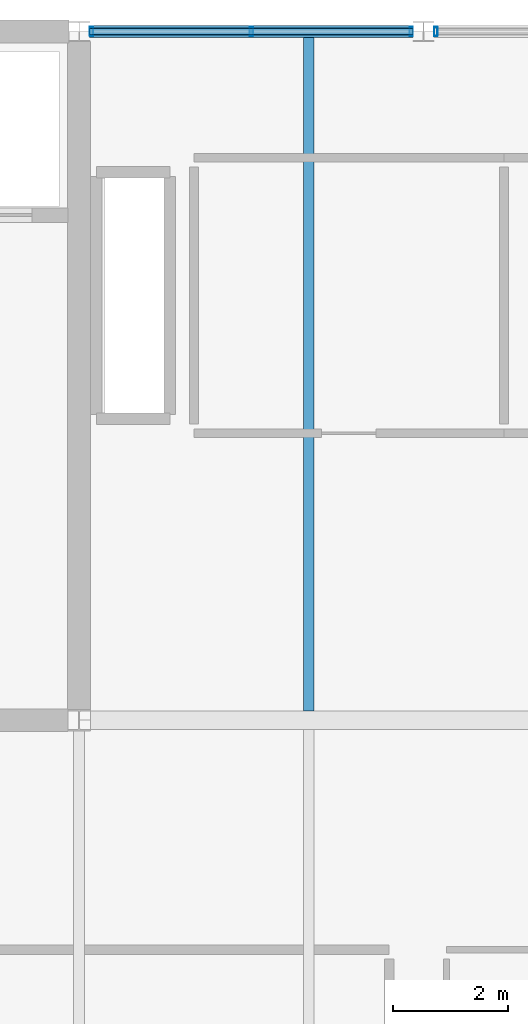
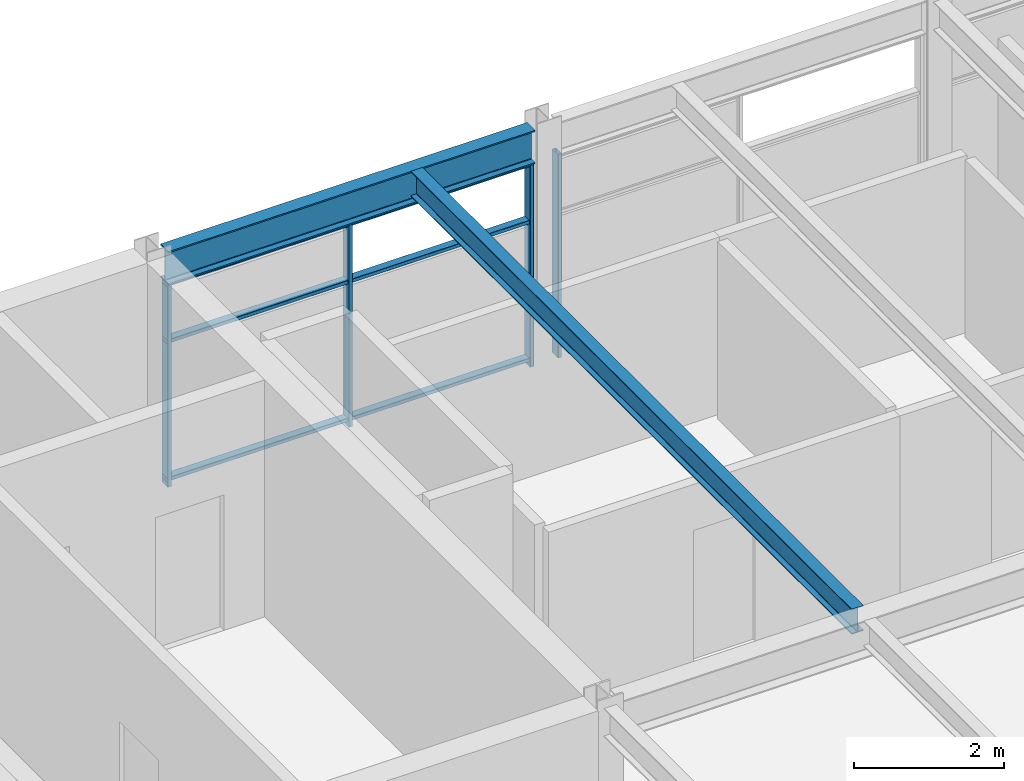
# One storey, part 12 of 40: 7 members, 2 beams, 2 elements without a shape of their own.
"""IFC4 building model written with IfcOpenShell, lengths in metres."""

import ifcopenshell
import ifcopenshell.guid

model = None  # the IFC model being written
_history = None  # IfcOwnerHistory: only IFC2X3 demands one
_inside = {}  # id of a spatial element -> (the spatial element, [elements in it])
_under = {}  # id of a project, library or spatial element -> (it, [spatial elements below it])
_declared = {}  # id of a project -> (the project, [libraries it declares])
_typed = {}  # id of a type object -> (the type object, [elements of that type])
_made_of = {}  # id of a material, layer set ... -> (it, [elements and type objects made of it])


def new_model(schema):
    """Start an empty IFC model of exactly this schema.

    Asked for "IFC4X3", IfcOpenShell would pick the latest addendum, in which some entities
    have other attributes; the version numbers below select the first issue.
    IFC2X3 requires an IfcOwnerHistory on every rooted entity: one is made here for all.
    """
    global model, _history
    if schema == "IFC4X3":
        model = ifcopenshell.file(schema_version=(4, 3, 0, 0))
    else:
        model = ifcopenshell.file(schema=schema)
    _inside.clear()
    _under.clear()
    _declared.clear()
    _typed.clear()
    _made_of.clear()
    _history = None
    if model.schema == "IFC2X3":
        org = make("IfcOrganization", Name="unknown")
        user = make(
            "IfcPersonAndOrganization",
            ThePerson=make("IfcPerson", FamilyName="unknown"),
            TheOrganization=org,
        )
        app = make(
            "IfcApplication",
            ApplicationDeveloper=org,
            Version="unknown",
            ApplicationFullName="unknown",
            ApplicationIdentifier="unknown",
        )
        _history = make(
            "IfcOwnerHistory",
            OwningUser=user,
            OwningApplication=app,
            ChangeAction="ADDED",
            CreationDate=0,
        )
    return model


def make(cls, **values):
    """One entity of the class cls with the attributes given. An attribute that is None is left unset."""
    return model.create_entity(
        cls, **{name: value for name, value in values.items() if value is not None}
    )


def rooted(cls, **values):
    """An entity with a GlobalId (a new one), such as an element, a storey or a relation."""
    return make(cls, GlobalId=ifcopenshell.guid.new(), OwnerHistory=_history, **values)


def si_unit(unit_type, name, prefix=None):
    """IfcSIUnit, for example si_unit("LENGTHUNIT", "METRE", prefix="MILLI")."""
    return make("IfcSIUnit", UnitType=unit_type, Prefix=prefix, Name=name)


def assignment(units):
    """IfcUnitAssignment: the units of a project."""
    return None if units is None else make("IfcUnitAssignment", Units=units)


def point(xyz):
    """IfcCartesianPoint."""
    return None if xyz is None else make("IfcCartesianPoint", Coordinates=xyz)


def direction(xyz):
    """IfcDirection."""
    return None if xyz is None else make("IfcDirection", DirectionRatios=xyz)


def frame(location, z_axis=None, x_axis=None):
    """IfcAxis2Placement3D, a coordinate frame: its origin and axes. An axis left out is left unset."""
    return make(
        "IfcAxis2Placement3D",
        Location=point(location),
        Axis=direction(z_axis),
        RefDirection=direction(x_axis),
    )


def frame_2d(location, x_axis=None):
    """IfcAxis2Placement2D, a coordinate frame in the plane: its origin and x axis."""
    return make(
        "IfcAxis2Placement2D", Location=point(location), RefDirection=direction(x_axis)
    )


def origin():
    """The frame at (0, 0, 0) with its axes left unset."""
    return frame((0.0, 0.0, 0.0))


def origin_2d():
    """The frame at (0, 0) in the plane with its x axis left unset."""
    return frame_2d((0.0, 0.0))


def place(relative_to, where):
    """IfcLocalPlacement: puts the frame where relative to a parent placement (None: the world)."""
    return make(
        "IfcLocalPlacement", PlacementRelTo=relative_to, RelativePlacement=where
    )


def context(
    kind, dimensions, precision=None, world=None, true_north=None, identifier=None
):
    """IfcGeometricRepresentationContext, for example the 3D "Model" context."""
    return make(
        "IfcGeometricRepresentationContext",
        ContextIdentifier=identifier,
        ContextType=kind,
        CoordinateSpaceDimension=dimensions,
        Precision=precision,
        WorldCoordinateSystem=world,
        TrueNorth=true_north,
    )


def subcontext(parent, identifier, kind, view, scale=None):
    """IfcGeometricRepresentationSubContext, for example "Body" below "Model"."""
    return make(
        "IfcGeometricRepresentationSubContext",
        ContextIdentifier=identifier,
        ContextType=kind,
        ParentContext=parent,
        TargetScale=scale,
        TargetView=view,
    )


def project(units=None, contexts=None):
    """IfcProject with its units and contexts."""
    return rooted(
        "IfcProject",
        Name="project",
        RepresentationContexts=contexts,
        UnitsInContext=assignment(units),
    )


def spatial(cls, under=None, at=None, **own):
    """A site, building, storey or space (cls), placed at a placement, below another one or the project."""
    s = rooted(cls, ObjectPlacement=at, **own)
    if under is not None:
        _under.setdefault(under.id(), (under, []))[1].append(s)
    return s


def profile(cls, at=None, kind="AREA", **sizes):
    """A parametric profile (cls). Its sizes go by their IFC names, for example OverallWidth=200.0."""
    return make(cls, ProfileType=kind, Position=at, **sizes)


def hollow_rectangle(**sizes):
    """IfcRectangleHollowProfileDef."""
    return profile("IfcRectangleHollowProfileDef", **sizes)


def i_section(**sizes):
    """IfcIShapeProfileDef."""
    return profile("IfcIShapeProfileDef", **sizes)


def extrude(swept, where, along, depth):
    """IfcExtrudedAreaSolid: the profile swept, set in the frame where, extruded along a direction by depth."""
    return make(
        "IfcExtrudedAreaSolid",
        SweptArea=swept,
        Position=where,
        ExtrudedDirection=direction(along),
        Depth=depth,
    )


def shape(context_of_items, identifier, shape_type, items):
    """IfcShapeRepresentation: the items that make up one representation, for example the "Body"."""
    return make(
        "IfcShapeRepresentation",
        ContextOfItems=context_of_items,
        RepresentationIdentifier=identifier,
        RepresentationType=shape_type,
        Items=items,
    )


def material(Name=None, Category=None):
    """IfcMaterial."""
    return make("IfcMaterial", Name=Name, Category=Category)


def material_profile(
    of_material, cross_section, Name=None, Category=None, Priority=None
):
    """IfcMaterialProfile: a cross section and its material."""
    return make(
        "IfcMaterialProfile",
        Name=Name,
        Material=of_material,
        Profile=cross_section,
        Priority=Priority,
        Category=Category,
    )


def profile_set(profiles, Name=None, composite=None):
    """IfcMaterialProfileSet."""
    return make(
        "IfcMaterialProfileSet",
        Name=Name,
        MaterialProfiles=profiles,
        CompositeProfile=composite,
    )


def made_of(thing, what):
    """Note that an element or type object is made of a material, layer set ...; save() writes the relation."""
    if what is not None:
        _made_of.setdefault(what.id(), (what, []))[1].append(thing)
    return thing


def type_object(cls, material=None, **own):
    """A type object (cls), such as IfcWallType, which elements share."""
    return made_of(rooted(cls, **own), material)


def element(
    cls,
    number,
    at=None,
    inside=None,
    cuts=None,
    type_object=None,
    material=None,
    context=None,
    identifier="Body",
    shape_type=None,
    held_by="IfcProductDefinitionShape",
    body=None,
    shapes=None,
    **own,
):
    """One element of the class cls, such as IfcWall. Its Tag is "e" and its number.

    at: its placement. inside: the storey or other place that contains it. cuts: it is an
    opening in that element (IfcRelVoidsElement). A single representation is given by context,
    identifier, shape_type and body (its items); several are given by shapes. held_by: the class
    of the entity that holds the representations. save() writes the other relations.
    """
    e = rooted(cls, Tag="e%d" % number, ObjectPlacement=at, **own)
    if body is not None:
        shapes = [shape(context, identifier, shape_type, body)]
    if shapes is not None:
        e.Representation = make(held_by, Representations=shapes)
    if inside is not None:
        _inside.setdefault(inside.id(), (inside, []))[1].append(e)
    if cuts is not None:
        rooted(
            "IfcRelVoidsElement", RelatingBuildingElement=cuts, RelatedOpeningElement=e
        )
    if type_object is not None:
        _typed.setdefault(type_object.id(), (type_object, []))[1].append(e)
    return made_of(e, material)


def aggregate(whole, parts):
    """IfcRelAggregates: a whole, such as a stair, and the parts it consists of."""
    return rooted("IfcRelAggregates", RelatingObject=whole, RelatedObjects=parts)


def save(model, path):
    """Write the relations noted so far, then the file.

    IfcRelAggregates (storeys below a building ...), IfcRelContainedInSpatialStructure (elements
    in a storey), IfcRelDefinesByType, IfcRelAssociatesMaterial and IfcRelDeclares: one each for
    every whole, place, type object, material and project.
    """
    for whole, parts in _under.values():
        aggregate(whole, parts)
    for where, things in _inside.values():
        rooted(
            "IfcRelContainedInSpatialStructure",
            RelatedElements=things,
            RelatingStructure=where,
        )
    for kind, things in _typed.values():
        rooted("IfcRelDefinesByType", RelatedObjects=things, RelatingType=kind)
    for what, things in _made_of.values():
        rooted("IfcRelAssociatesMaterial", RelatedObjects=things, RelatingMaterial=what)
    for by, libraries in _declared.values():
        rooted("IfcRelDeclares", RelatingContext=by, RelatedDefinitions=libraries)
    model.write(path)


model = new_model("IFC4")

# Units and contexts
model_context = context("Model", 3, precision=1e-05, world=origin(), true_north=direction((0.0, 1.0)))
body_context = subcontext(model_context, "Body", "Model", "MODEL_VIEW")
ifc_project = project(units=[si_unit("LENGTHUNIT", "METRE"), si_unit("AREAUNIT", "SQUARE_METRE"), si_unit("VOLUMEUNIT", "CUBIC_METRE"), si_unit("PLANEANGLEUNIT", "RADIAN"), si_unit("MASSUNIT", "GRAM", prefix="KILO")], contexts=[model_context])

# Site, building, storey
site_placement = place(None, origin())
site = spatial("IfcSite", under=ifc_project, at=site_placement, CompositionType="ELEMENT")
building_placement = place(site_placement, origin())
building = spatial("IfcBuilding", under=site, at=building_placement, Name="Girod Span Mobility Hub", CompositionType="ELEMENT")
storey_placement = place(building_placement, frame((0.0, 0.0, 57.60009765625)))
storey = spatial("IfcBuildingStorey", under=building, at=storey_placement, Name="L14", CompositionType="ELEMENT", Elevation=57.60009765625)

# Beams
ifc_material_1 = material(Name="Steel A992 Grade 50", Category="steel")
ifc_material_profile_1 = material_profile(ifc_material_1, i_section(OverallWidth=0.178955078125, OverallDepth=0.409912109375, WebThickness=0.0087890625, FlangeThickness=0.014404296875, FilletRadius=0.012939453125, at=origin_2d()), Name="W16X45")
ifc_profile_set_1 = profile_set([ifc_material_profile_1], Name="Steel A992 Grade 50")
beam_type_1 = type_object("IfcBeamType", Name="BM-STL-W16X45", PredefinedType="BEAM", material=ifc_profile_set_1)
beam_1_placement = place(storey_placement, frame((64.0, 57.158935546875, 3.64501953125), z_axis=(0.0, 1.0, 0.0), x_axis=(-1.0, 0.0, 0.0)))
element("IfcBeam", 1, at=beam_1_placement, inside=storey, type_object=beam_type_1, Name="Composite Floorbeam 6/E-1 L14", PredefinedType="BEAM", context=body_context, shape_type="SweptSolid", body=[
    extrude(i_section(OverallWidth=0.178955078125, OverallDepth=0.409912109375, WebThickness=0.0087890625, FlangeThickness=0.014404296875, FilletRadius=0.012939453125, at=origin_2d()), origin(), (0.0, 0.0, 1.0), 11.738037109375),
])
ifc_material_2 = material(Name="Steel A992 Grade 50", Category="steel")
ifc_material_profile_2 = material_profile(ifc_material_2, i_section(OverallWidth=0.2119140625, OverallDepth=0.5439453125, WebThickness=0.01318359375, FlangeThickness=0.021240234375, FilletRadius=0.014892578125, at=origin_2d()), Name="W21X83")
ifc_profile_set_2 = profile_set([ifc_material_profile_2], Name="Steel A992 Grade 50")
beam_type_2 = type_object("IfcBeamType", Name="BM-STL-W21X83", PredefinedType="SPANDREL", material=ifc_profile_set_2)
beam_2_placement = place(storey_placement, frame((60.181396484375, 69.0, 3.577880859375), z_axis=(1.0, 0.0, 0.0), x_axis=(0.0, 1.0, 0.0)))
element("IfcBeam", 2, at=beam_2_placement, inside=storey, type_object=beam_type_2, Name="Spandrel Beam 6-7/F-W L14", PredefinedType="SPANDREL", context=body_context, shape_type="SweptSolid", body=[
    extrude(i_section(OverallWidth=0.2119140625, OverallDepth=0.5439453125, WebThickness=0.01318359375, FlangeThickness=0.021240234375, FilletRadius=0.014892578125, at=origin_2d()), origin(), (0.0, 0.0, 1.0), 5.63720703125),
])

# Curtain wall, members
ifc_material_3 = material(Name="Thermally Broken Anodised Aluminium", Category="aluminium")
curtain_wall_type = type_object("IfcCurtainWallType", Name="CW-564X331", PredefinedType="USERDEFINED", material=ifc_material_3)
curtain_wall_1_placement = place(storey_placement, origin())
curtain_wall_1 = element("IfcCurtainWall", 3, at=curtain_wall_1_placement, inside=storey, type_object=curtain_wall_type, Name="Unitised Curtain Wall CW-L14-N06W L14", ObjectType="UNITISED CURTAIN WALL", PredefinedType="USERDEFINED")
ifc_material_4 = material(Name="Thermally Broken Anodised Aluminium", Category="aluminium")
ifc_material_profile_3 = material_profile(ifc_material_4, hollow_rectangle(XDim=0.159912109375, YDim=0.06005859375, WallThickness=0.00341796875, InnerFilletRadius=0.00341796875, OuterFilletRadius=0.007080078125, at=origin_2d()), Name="CW-ML-60X160")
ifc_profile_set_3 = profile_set([ifc_material_profile_3], Name="Thermally Broken Anodised Aluminium")
member_type_1 = type_object("IfcMemberType", Name="CWM-ML-3", PredefinedType="MULLION", material=ifc_profile_set_3)
member_1_placement = place(storey_placement, frame((60.214599609375, 69.0, 0.0), z_axis=(0.0, 0.0, 1.0), x_axis=(0.0, 1.0, 0.0)))
member_1 = element("IfcMember", 4, at=member_1_placement, type_object=member_type_1, Name="Curtain Wall Mullion CW-L14-N06W-M0", PredefinedType="MULLION", context=body_context, shape_type="SweptSolid", body=[
    extrude(hollow_rectangle(XDim=0.159912109375, YDim=0.06005859375, WallThickness=0.00341796875, InnerFilletRadius=0.00341796875, OuterFilletRadius=0.007080078125, at=origin_2d()), origin(), (0.0, 0.0, 1.0), 3.305908203125),
])
member_2_placement = place(storey_placement, frame((63.0, 69.0, 0.0), z_axis=(0.0, 0.0, 1.0), x_axis=(0.0, 1.0, 0.0)))
member_2 = element("IfcMember", 5, at=member_2_placement, type_object=member_type_1, Name="Curtain Wall Mullion CW-L14-N06W-M1", PredefinedType="MULLION", context=body_context, shape_type="SweptSolid", body=[
    extrude(hollow_rectangle(XDim=0.159912109375, YDim=0.06005859375, WallThickness=0.00341796875, InnerFilletRadius=0.00341796875, OuterFilletRadius=0.007080078125, at=origin_2d()), origin(), (0.0, 0.0, 1.0), 3.305908203125),
])
member_3_placement = place(storey_placement, frame((65.785400390625, 69.0, 0.0), z_axis=(0.0, 0.0, 1.0), x_axis=(0.0, 1.0, 0.0)))
member_3 = element("IfcMember", 6, at=member_3_placement, type_object=member_type_1, Name="Curtain Wall Mullion CW-L14-N06W-M2", PredefinedType="MULLION", context=body_context, shape_type="SweptSolid", body=[
    extrude(hollow_rectangle(XDim=0.159912109375, YDim=0.06005859375, WallThickness=0.00341796875, InnerFilletRadius=0.00341796875, OuterFilletRadius=0.007080078125, at=origin_2d()), origin(), (0.0, 0.0, 1.0), 3.305908203125),
])

# Curtain wall, member
curtain_wall_2_placement = place(storey_placement, origin())
curtain_wall_2 = element("IfcCurtainWall", 7, at=curtain_wall_2_placement, inside=storey, type_object=curtain_wall_type, Name="Unitised Curtain Wall CW-L14-N06E L14", ObjectType="UNITISED CURTAIN WALL", PredefinedType="USERDEFINED")
member_4_placement = place(storey_placement, frame((66.214599609375, 69.0, 0.0), z_axis=(0.0, 0.0, 1.0), x_axis=(0.0, 1.0, 0.0)))
member_4 = element("IfcMember", 8, at=member_4_placement, type_object=member_type_1, Name="Curtain Wall Mullion CW-L14-N06E-M0", PredefinedType="MULLION", context=body_context, shape_type="SweptSolid", body=[
    extrude(hollow_rectangle(XDim=0.159912109375, YDim=0.06005859375, WallThickness=0.00341796875, InnerFilletRadius=0.00341796875, OuterFilletRadius=0.007080078125, at=origin_2d()), origin(), (0.0, 0.0, 1.0), 3.305908203125),
])
aggregate(curtain_wall_2, [member_4])

# Member
ifc_material_5 = material(Name="Thermally Broken Anodised Aluminium", Category="aluminium")
ifc_material_profile_4 = material_profile(ifc_material_5, hollow_rectangle(XDim=0.1201171875, YDim=0.06005859375, WallThickness=0.00341796875, InnerFilletRadius=0.00341796875, OuterFilletRadius=0.007080078125, at=origin_2d()), Name="CW-TR-60X120")
ifc_profile_set_4 = profile_set([ifc_material_profile_4], Name="Thermally Broken Anodised Aluminium")
member_type_2 = type_object("IfcMemberType", Name="CWM-TR-3", PredefinedType="USERDEFINED", material=ifc_profile_set_4)
member_5_placement = place(storey_placement, frame((60.1826171875, 69.0, 0.10986328125), z_axis=(1.0, 0.0, 0.0), x_axis=(0.0, 1.0, 0.0)))
member_5 = element("IfcMember", 9, at=member_5_placement, type_object=member_type_2, Name="Curtain Wall Transom CW-L14-N06W-T1", ObjectType="TRANSOM", PredefinedType="USERDEFINED", context=body_context, shape_type="SweptSolid", body=[
    extrude(hollow_rectangle(XDim=0.1201171875, YDim=0.06005859375, WallThickness=0.00341796875, InnerFilletRadius=0.00341796875, OuterFilletRadius=0.007080078125, at=origin_2d()), origin(), (0.0, 0.0, 1.0), 5.634765625),
])

member_6_placement = place(storey_placement, frame((60.1826171875, 69.0, 2.35009765625), z_axis=(1.0, 0.0, 0.0), x_axis=(0.0, 1.0, 0.0)))
member_6 = element("IfcMember", 10, at=member_6_placement, type_object=member_type_2, Name="Curtain Wall Transom CW-L14-N06W-T2", ObjectType="TRANSOM", PredefinedType="USERDEFINED", context=body_context, shape_type="SweptSolid", body=[
    extrude(hollow_rectangle(XDim=0.1201171875, YDim=0.06005859375, WallThickness=0.00341796875, InnerFilletRadius=0.00341796875, OuterFilletRadius=0.007080078125, at=origin_2d()), origin(), (0.0, 0.0, 1.0), 5.634765625),
])

member_7_placement = place(storey_placement, frame((60.1826171875, 69.0, 3.27587890625), z_axis=(1.0, 0.0, 0.0), x_axis=(0.0, 1.0, 0.0)))
member_7 = element("IfcMember", 11, at=member_7_placement, type_object=member_type_2, Name="Curtain Wall Transom CW-L14-N06W-T3", ObjectType="TRANSOM", PredefinedType="USERDEFINED", context=body_context, shape_type="SweptSolid", body=[
    extrude(hollow_rectangle(XDim=0.1201171875, YDim=0.06005859375, WallThickness=0.00341796875, InnerFilletRadius=0.00341796875, OuterFilletRadius=0.007080078125, at=origin_2d()), origin(), (0.0, 0.0, 1.0), 5.634765625),
])

aggregate(curtain_wall_1, [member_1, member_2, member_3, member_5, member_6, member_7])

save(model, "model.ifc")
